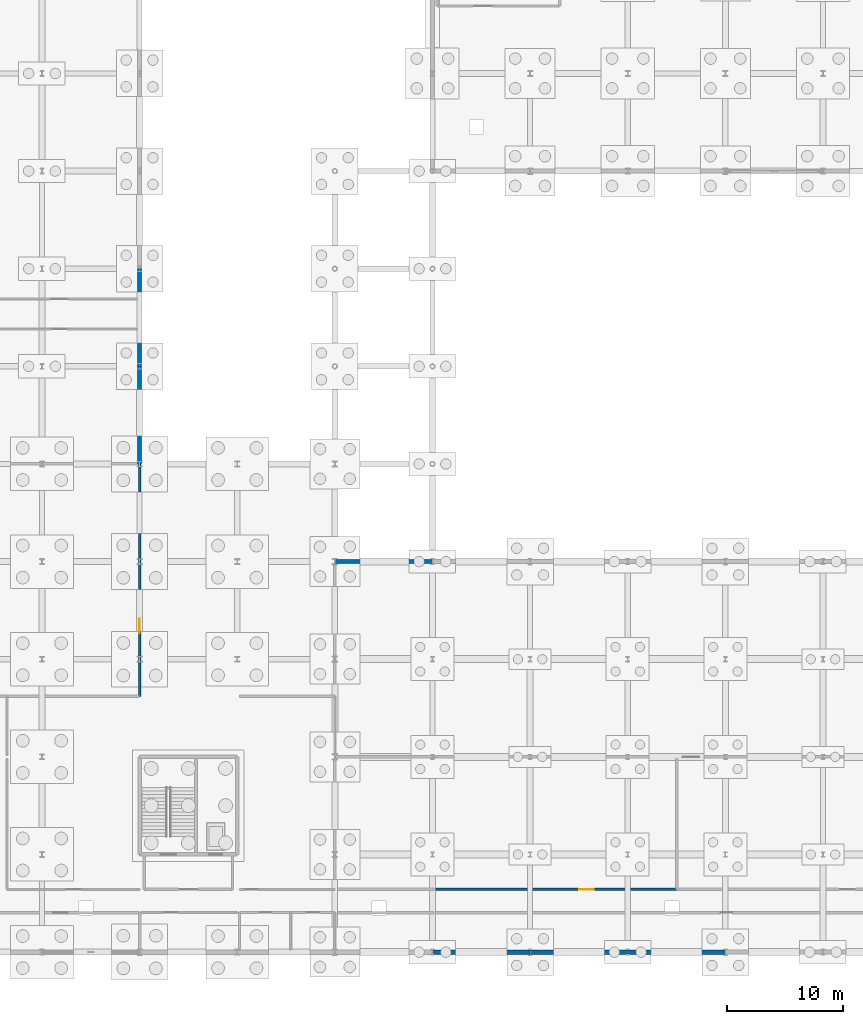
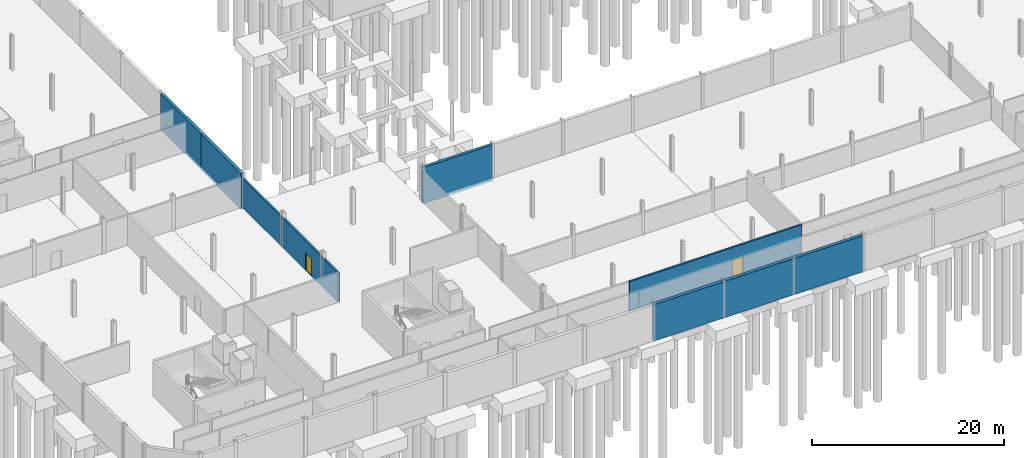
# One storey, part 33 of 51: 8 walls, 2 doors, 2 openings.
"""IFC4 building model written with IfcOpenShell, lengths in metres."""

from ifc_helpers import new_model, si_unit, direction, frame, frame_2d, origin, place, context, subcontext, project, spatial, rectangle, extrude, material, layer, layer_set, type_object, element, fill, save


model = new_model("IFC4")

# Units and contexts
model_context = context("Model", 3, precision=1e-05, world=origin(), true_north=direction((0.0, 1.0)))
body_context = subcontext(model_context, "Body", "Model", "MODEL_VIEW")
ifc_project = project(units=[si_unit("LENGTHUNIT", "METRE"), si_unit("AREAUNIT", "SQUARE_METRE"), si_unit("VOLUMEUNIT", "CUBIC_METRE"), si_unit("PLANEANGLEUNIT", "RADIAN"), si_unit("MASSUNIT", "GRAM", prefix="KILO")], contexts=[model_context])

# Site, building, storey
site_placement = place(None, origin())
site = spatial("IfcSite", under=ifc_project, at=site_placement, CompositionType="ELEMENT")
building_placement = place(site_placement, origin())
building = spatial("IfcBuilding", under=site, at=building_placement, Name="Qalvenar Corner Mobility Hub", CompositionType="ELEMENT")
storey_placement = place(building_placement, frame((0.0, 0.0, -4.5)))
storey = spatial("IfcBuildingStorey", under=building, at=storey_placement, Name="B1", CompositionType="ELEMENT", Elevation=-4.5)

# Wall, opening, door
ifc_material_1 = material(Name="Concrete Blockwork Masonry", Category="masonry")
ifc_layer_1 = layer(ifc_material_1, 0.219970703125)
ifc_layer_set_1 = layer_set([ifc_layer_1], Name="Concrete Blockwork Masonry")
wall_type_1 = type_object("IfcWallType", Name="WL-FIRE220", PredefinedType="PARTITIONING", material=ifc_layer_set_1)
wall_1_placement = place(storey_placement, frame((59.0, 5.39990234375, 0.0), z_axis=(0.0, 0.0, 1.0), x_axis=(1.0, 0.0, 0.0)))
wall_1 = element("IfcWall", 1, at=wall_1_placement, inside=storey, type_object=wall_type_1, Name="Interior Partition PRT-B1-013", PredefinedType="PARTITIONING", context=body_context, shape_type="SweptSolid", body=[
    extrude(rectangle(XDim=20.800048828125, YDim=0.219970703125, at=frame_2d((10.39990234375, 0.0))), origin(), (0.0, 0.0, 1.0), 3.7900390625),
])
opening_1_placement = place(wall_1_placement, frame((12.419921875, 0.0, 0.0)))
opening_1 = element("IfcOpeningElement", 2, at=opening_1_placement, cuts=wall_1, Name="Opening DR-030", PredefinedType="OPENING", context=body_context, shape_type="SweptSolid", body=[
    extrude(rectangle(XDim=1.25, YDim=2.199951171875, at=frame_2d((0.625, 1.10009765625))), frame((0.0, 0.1201171875, 0.0), z_axis=(0.0, -1.0, 0.0), x_axis=(1.0, 0.0, 0.0)), (0.0, 0.0, 1.0), 0.239990234375),
])
ifc_material_2 = material(Name="Acoustic Steel Plant Room Door FD60", Category="steel")
door_type = type_object("IfcDoorType", Name="DR-INT-PLT125", OperationType="NOTDEFINED", PredefinedType="DOOR", material=ifc_material_2)
door_1_placement = place(opening_1_placement, origin())
door_1 = element("IfcDoor", 3, at=door_1_placement, inside=storey, type_object=door_type, Name="DR-030 Concourse AHU and Smoke Extract Plant Ro Door", OperationType="SINGLE_SWING_RIGHT", OverallHeight=2.199951171875, OverallWidth=1.25, PredefinedType="DOOR", context=body_context, shape_type="SweptSolid", body=[
    extrude(rectangle(XDim=1.25, YDim=2.199951171875, at=frame_2d((0.625, 1.10009765625))), frame((0.0, 0.02490234375, 0.0), z_axis=(0.0, -1.0, 0.0), x_axis=(1.0, 0.0, 0.0)), (0.0, 0.0, 1.0), 0.050048828125),
])
fill(opening_1, door_1)

wall_2_placement = place(storey_placement, frame((33.60009765625, 22.0, 0.0), z_axis=(0.0, 0.0, 1.0), x_axis=(0.0, 1.0, 0.0)))
wall_2 = element("IfcWall", 4, at=wall_2_placement, inside=storey, type_object=wall_type_1, Name="Interior Partition PRT-B1-044", PredefinedType="PARTITIONING", context=body_context, shape_type="SweptSolid", body=[
    extrude(rectangle(XDim=20.0, YDim=0.219970703125, at=frame_2d((10.0, 0.0))), origin(), (0.0, 0.0, 1.0), 3.75),
])
opening_2_placement = place(wall_2_placement, frame((5.419921875, 0.0, 0.0)))
opening_2 = element("IfcOpeningElement", 5, at=opening_2_placement, cuts=wall_2, Name="Opening DR-044", PredefinedType="OPENING", context=body_context, shape_type="SweptSolid", body=[
    extrude(rectangle(XDim=1.25, YDim=2.199951171875, at=frame_2d((0.625, 1.10009765625))), frame((0.0, 0.1201171875, 0.0), z_axis=(0.0, -1.0, 0.0), x_axis=(1.0, 0.0, 0.0)), (0.0, 0.0, 1.0), 0.239990234375),
])
door_2_placement = place(opening_2_placement, origin())
door_2 = element("IfcDoor", 6, at=door_2_placement, inside=storey, type_object=door_type, Name="DR-044 Standby Generator and Transformer Substa Door", OperationType="SINGLE_SWING_RIGHT", OverallHeight=2.199951171875, OverallWidth=1.25, PredefinedType="DOOR", context=body_context, shape_type="SweptSolid", body=[
    extrude(rectangle(XDim=1.25, YDim=2.199951171875, at=frame_2d((0.625, 1.10009765625))), frame((0.0, 0.02490234375, 0.0), z_axis=(0.0, -1.0, 0.0), x_axis=(1.0, 0.0, 0.0)), (0.0, 0.0, 1.0), 0.050048828125),
])
fill(opening_2, door_2)

# Walls
ifc_material_3 = material(Name="Concrete C40/50", Category="concrete")
ifc_layer_2 = layer(ifc_material_3, 0.35009765625)
ifc_layer_set_2 = layer_set([ifc_layer_2], Name="Concrete C40/50")
wall_type_2 = type_object("IfcWallType", Name="WL-RET350", PredefinedType="SOLIDWALL", material=ifc_layer_set_2)
wall_3_placement = place(storey_placement, frame((58.800048828125, 33.60009765625, -0.35009765625), z_axis=(0.0, 0.0, 1.0), x_axis=(-1.0, 0.0, 0.0)))
element("IfcWall", 7, at=wall_3_placement, inside=storey, type_object=wall_type_2, Name="Basement Retaining Wall BW-034", PredefinedType="SOLIDWALL", context=body_context, shape_type="SweptSolid", body=[
    extrude(rectangle(XDim=8.400146484375, YDim=0.35009765625, at=frame_2d((4.2001953125, 0.0))), origin(), (0.0, 0.0, 1.0), 4.60009765625),
])
wall_4_placement = place(storey_placement, frame((33.60009765625, 50.39990234375, -0.35009765625), z_axis=(0.0, 0.0, 1.0), x_axis=(0.0, -1.0, 0.0)))
element("IfcWall", 8, at=wall_4_placement, inside=storey, type_object=wall_type_2, Name="Basement Retaining Wall BW-057", PredefinedType="SOLIDWALL", context=body_context, shape_type="SweptSolid", body=[
    extrude(rectangle(XDim=8.39990234375, YDim=0.35009765625, at=frame_2d((4.199951171875, 0.0))), origin(), (0.0, 0.0, 1.0), 4.60009765625),
])
wall_5_placement = place(storey_placement, frame((33.60009765625, 58.800048828125, -0.35009765625), z_axis=(0.0, 0.0, 1.0), x_axis=(0.0, -1.0, 0.0)))
element("IfcWall", 9, at=wall_5_placement, inside=storey, type_object=wall_type_2, Name="Basement Retaining Wall BW-058", PredefinedType="SOLIDWALL", context=body_context, shape_type="SweptSolid", body=[
    extrude(rectangle(XDim=8.400146484375, YDim=0.35009765625, at=frame_2d((4.2001953125, 0.0))), origin(), (0.0, 0.0, 1.0), 4.60009765625),
])
ifc_layer_3 = layer(ifc_material_3, 0.39990234375)
ifc_layer_set_3 = layer_set([ifc_layer_3], Name="Concrete C40/50")
wall_type_3 = type_object("IfcWallType", Name="WL-RET400", PredefinedType="SOLIDWALL", material=ifc_layer_set_3)
wall_6_placement = place(storey_placement, frame((58.800048828125, 0.0, -0.35009765625), z_axis=(0.0, 0.0, 1.0), x_axis=(1.0, 0.0, 0.0)))
element("IfcWall", 10, at=wall_6_placement, inside=storey, type_object=wall_type_3, Name="Basement Retaining Wall BW-008", PredefinedType="SOLIDWALL", context=body_context, shape_type="SweptSolid", body=[
    extrude(rectangle(XDim=8.39990234375, YDim=0.39990234375, at=frame_2d((4.199951171875, 0.0))), origin(), (0.0, 0.0, 1.0), 4.60009765625),
])
wall_7_placement = place(storey_placement, frame((67.199951171875, 0.0, -0.35009765625), z_axis=(0.0, 0.0, 1.0), x_axis=(1.0, 0.0, 0.0)))
element("IfcWall", 11, at=wall_7_placement, inside=storey, type_object=wall_type_3, Name="Basement Retaining Wall BW-009", PredefinedType="SOLIDWALL", context=body_context, shape_type="SweptSolid", body=[
    extrude(rectangle(XDim=8.400146484375, YDim=0.39990234375, at=frame_2d((4.2001953125, 0.0))), origin(), (0.0, 0.0, 1.0), 4.60009765625),
])
wall_8_placement = place(storey_placement, frame((75.60009765625, 0.0, -0.35009765625), z_axis=(0.0, 0.0, 1.0), x_axis=(1.0, 0.0, 0.0)))
element("IfcWall", 12, at=wall_8_placement, inside=storey, type_object=wall_type_3, Name="Basement Retaining Wall BW-010", PredefinedType="SOLIDWALL", context=body_context, shape_type="SweptSolid", body=[
    extrude(rectangle(XDim=8.39990234375, YDim=0.39990234375, at=frame_2d((4.199951171875, 0.0))), origin(), (0.0, 0.0, 1.0), 4.60009765625),
])

save(model, "model.ifc")
